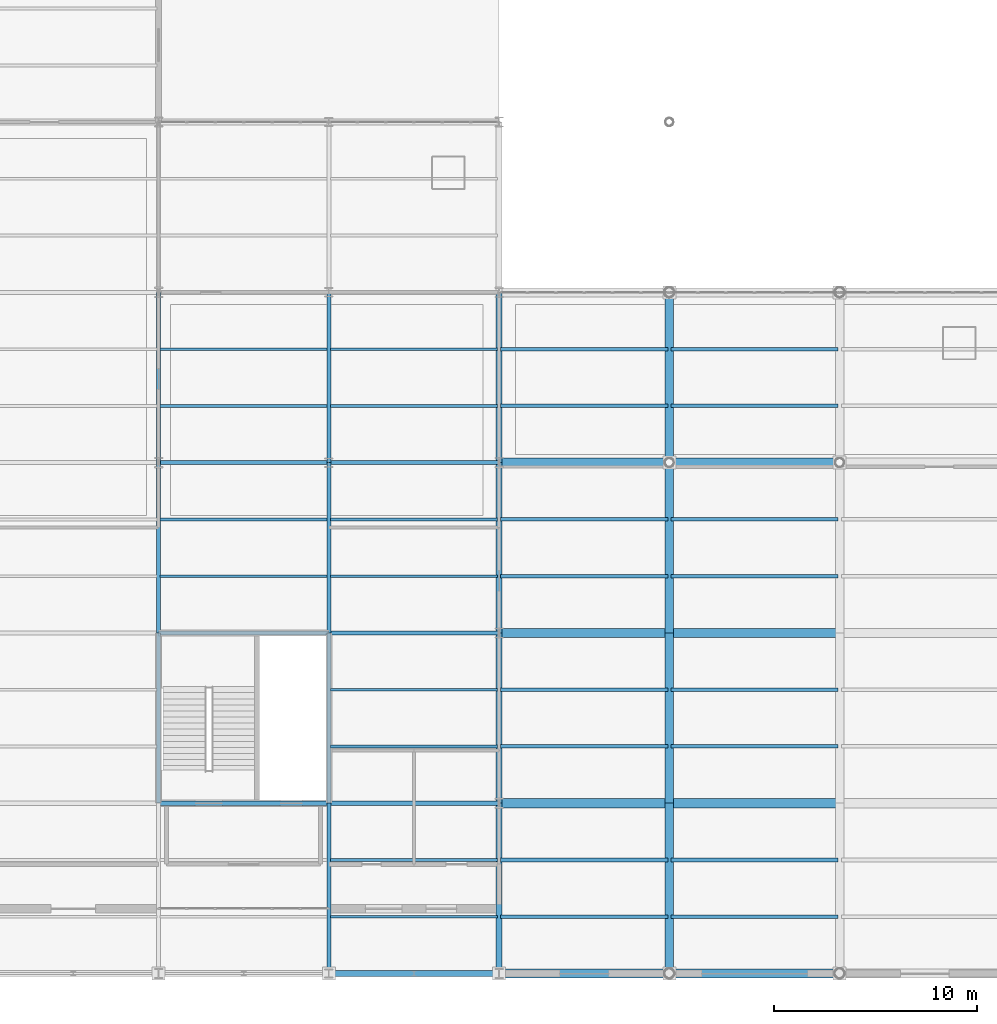
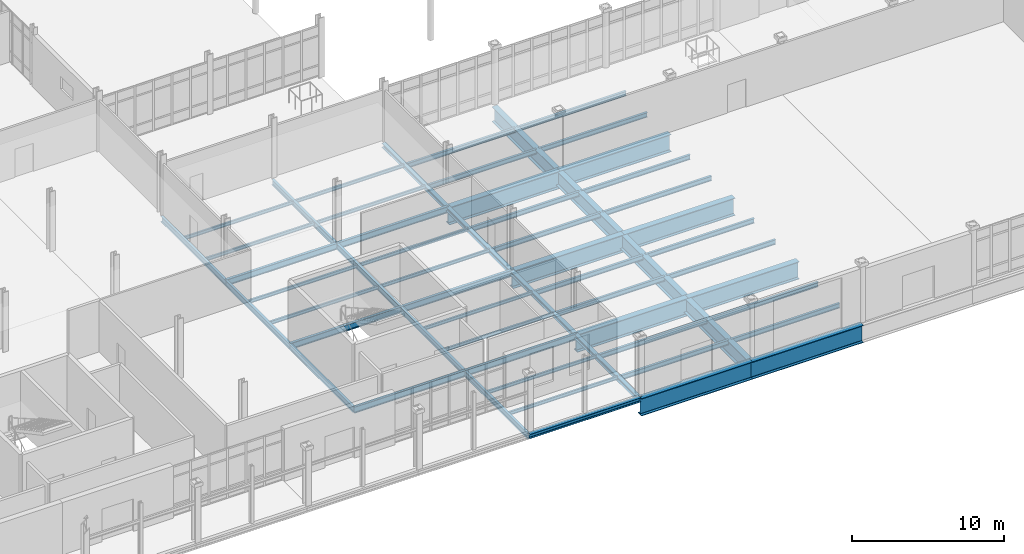
# One storey, part 30 of 145: 58 beams.
"""IFC4 building model written with IfcOpenShell, lengths in metres."""

from ifc_helpers import new_model, si_unit, direction, frame, origin, origin_2d, place, context, subcontext, project, spatial, i_section, extrude, material, material_profile, profile_set, type_object, element, save


model = new_model("IFC4")

# Units and contexts
model_context = context("Model", 3, precision=1e-05, world=origin(), true_north=direction((0.0, 1.0)))
body_context = subcontext(model_context, "Body", "Model", "MODEL_VIEW")
ifc_project = project(units=[si_unit("LENGTHUNIT", "METRE"), si_unit("AREAUNIT", "SQUARE_METRE"), si_unit("VOLUMEUNIT", "CUBIC_METRE"), si_unit("PLANEANGLEUNIT", "RADIAN"), si_unit("MASSUNIT", "GRAM", prefix="KILO")], contexts=[model_context])

# Site, building, storey
site_placement = place(None, origin())
site = spatial("IfcSite", under=ifc_project, at=site_placement, CompositionType="ELEMENT")
building_placement = place(site_placement, origin())
building = spatial("IfcBuilding", under=site, at=building_placement, Name="Qalvenar Corner Mobility Hub", CompositionType="ELEMENT")
storey_placement = place(building_placement, origin())
storey = spatial("IfcBuildingStorey", under=building, at=storey_placement, Name="L00", CompositionType="ELEMENT", Elevation=0.0)

# Beams
ifc_material = material(Name="Steel S355", Category="steel")
ifc_material_profile_1 = material_profile(ifc_material, i_section(OverallWidth=0.18994140625, OverallDepth=0.449951171875, WebThickness=0.009521484375, FlangeThickness=0.0146484375, FilletRadius=0.02099609375, at=origin_2d()), Name="IPE450")
ifc_profile_set_1 = profile_set([ifc_material_profile_1], Name="Steel S355")
beam_type_1 = type_object("IfcBeamType", Name="BM-IPE450", PredefinedType="BEAM", material=ifc_profile_set_1)
beam_1_placement = place(storey_placement, frame((33.60009765625, 8.39990234375, -0.445068359375), z_axis=(0.0, 1.0, 0.0), x_axis=(-1.0, 0.0, 0.0)))
element("IfcBeam", 1, at=beam_1_placement, inside=storey, type_object=beam_type_1, Name="Primary Steel Girder GY-0058", PredefinedType="BEAM", context=body_context, shape_type="SweptSolid", body=[
    extrude(i_section(OverallWidth=0.18994140625, OverallDepth=0.449951171875, WebThickness=0.009521484375, FlangeThickness=0.0146484375, FilletRadius=0.02099609375, at=origin_2d()), origin(), (0.0, 0.0, 1.0), 8.400146484375),
])
beam_2_placement = place(storey_placement, frame((33.60009765625, 16.800048828125, -0.445068359375), z_axis=(0.0, 1.0, 0.0), x_axis=(-1.0, 0.0, 0.0)))
element("IfcBeam", 2, at=beam_2_placement, inside=storey, type_object=beam_type_1, Name="Primary Steel Girder GY-0059", PredefinedType="BEAM", context=body_context, shape_type="SweptSolid", body=[
    extrude(i_section(OverallWidth=0.18994140625, OverallDepth=0.449951171875, WebThickness=0.009521484375, FlangeThickness=0.0146484375, FilletRadius=0.02099609375, at=origin_2d()), origin(), (0.0, 0.0, 1.0), 8.39990234375),
])
beam_3_placement = place(storey_placement, frame((33.60009765625, 25.199951171875, -0.445068359375), z_axis=(0.0, 1.0, 0.0), x_axis=(-1.0, 0.0, 0.0)))
element("IfcBeam", 3, at=beam_3_placement, inside=storey, type_object=beam_type_1, Name="Primary Steel Girder GY-0060", PredefinedType="BEAM", context=body_context, shape_type="SweptSolid", body=[
    extrude(i_section(OverallWidth=0.18994140625, OverallDepth=0.449951171875, WebThickness=0.009521484375, FlangeThickness=0.0146484375, FilletRadius=0.02099609375, at=origin_2d()), origin(), (0.0, 0.0, 1.0), 8.400146484375),
])
beam_4_placement = place(storey_placement, frame((42.0, 0.0, -0.445068359375), z_axis=(0.0, 1.0, 0.0), x_axis=(-1.0, 0.0, 0.0)))
element("IfcBeam", 4, at=beam_4_placement, inside=storey, type_object=beam_type_1, Name="Primary Steel Girder GY-0062", PredefinedType="BEAM", context=body_context, shape_type="SweptSolid", body=[
    extrude(i_section(OverallWidth=0.18994140625, OverallDepth=0.449951171875, WebThickness=0.009521484375, FlangeThickness=0.0146484375, FilletRadius=0.02099609375, at=origin_2d()), origin(), (0.0, 0.0, 1.0), 8.39990234375),
])
beam_5_placement = place(storey_placement, frame((42.0, 8.39990234375, -0.445068359375), z_axis=(0.0, 1.0, 0.0), x_axis=(-1.0, 0.0, 0.0)))
element("IfcBeam", 5, at=beam_5_placement, inside=storey, type_object=beam_type_1, Name="Primary Steel Girder GY-0063", PredefinedType="BEAM", context=body_context, shape_type="SweptSolid", body=[
    extrude(i_section(OverallWidth=0.18994140625, OverallDepth=0.449951171875, WebThickness=0.009521484375, FlangeThickness=0.0146484375, FilletRadius=0.02099609375, at=origin_2d()), origin(), (0.0, 0.0, 1.0), 8.400146484375),
])
beam_6_placement = place(storey_placement, frame((42.0, 16.800048828125, -0.445068359375), z_axis=(0.0, 1.0, 0.0), x_axis=(-1.0, 0.0, 0.0)))
element("IfcBeam", 6, at=beam_6_placement, inside=storey, type_object=beam_type_1, Name="Primary Steel Girder GY-0064", PredefinedType="BEAM", context=body_context, shape_type="SweptSolid", body=[
    extrude(i_section(OverallWidth=0.18994140625, OverallDepth=0.449951171875, WebThickness=0.009521484375, FlangeThickness=0.0146484375, FilletRadius=0.02099609375, at=origin_2d()), origin(), (0.0, 0.0, 1.0), 8.39990234375),
])
beam_7_placement = place(storey_placement, frame((42.0, 25.199951171875, -0.445068359375), z_axis=(0.0, 1.0, 0.0), x_axis=(-1.0, 0.0, 0.0)))
element("IfcBeam", 7, at=beam_7_placement, inside=storey, type_object=beam_type_1, Name="Primary Steel Girder GY-0065", PredefinedType="BEAM", context=body_context, shape_type="SweptSolid", body=[
    extrude(i_section(OverallWidth=0.18994140625, OverallDepth=0.449951171875, WebThickness=0.009521484375, FlangeThickness=0.0146484375, FilletRadius=0.02099609375, at=origin_2d()), origin(), (0.0, 0.0, 1.0), 8.400146484375),
])
ifc_material_profile_2 = material_profile(ifc_material, i_section(OverallWidth=0.199951171875, OverallDepth=0.5, WebThickness=0.01025390625, FlangeThickness=0.01611328125, FilletRadius=0.02099609375, at=origin_2d()), Name="IPE500")
ifc_profile_set_2 = profile_set([ifc_material_profile_2], Name="Steel S355")
beam_type_2 = type_object("IfcBeamType", Name="BM-IPE500", PredefinedType="BEAM", material=ifc_profile_set_2)
for number, where, z_axis, x_axis, name in (
    (8, (33.60009765625, 8.39990234375, -0.469970703125), (1.0, 0.0, 0.0), (0.0, 1.0, 0.0), "Primary Steel Girder GX-0011"),
    (9, (42.0, 8.39990234375, -0.469970703125), (1.0, 0.0, 0.0), (0.0, 1.0, 0.0), "Primary Steel Girder GX-0012"),
    (10, (33.60009765625, 16.800048828125, -0.469970703125), (1.0, 0.0, 0.0), (0.0, 1.0, 0.0), "Primary Steel Girder GX-0017"),
    (11, (42.0, 16.800048828125, -0.469970703125), (1.0, 0.0, 0.0), (0.0, 1.0, 0.0), "Primary Steel Girder GX-0018"),
    (12, (33.60009765625, 25.199951171875, -0.469970703125), (1.0, 0.0, 0.0), (0.0, 1.0, 0.0), "Primary Steel Girder GX-0023"),
    (13, (42.0, 25.199951171875, -0.469970703125), (1.0, 0.0, 0.0), (0.0, 1.0, 0.0), "Primary Steel Girder GX-0024"),
):
    element("IfcBeam", number, at=place(storey_placement, frame(where, z_axis=z_axis, x_axis=x_axis)), inside=storey, type_object=beam_type_2, Name=name, PredefinedType="BEAM", context=body_context, shape_type="SweptSolid", body=[
        extrude(i_section(OverallWidth=0.199951171875, OverallDepth=0.5, WebThickness=0.01025390625, FlangeThickness=0.01611328125, FilletRadius=0.02099609375, at=origin_2d()), origin(), (0.0, 0.0, 1.0), 8.39990234375),
    ])
ifc_material_profile_3 = material_profile(ifc_material, i_section(OverallWidth=0.135009765625, OverallDepth=0.27001953125, WebThickness=0.006591796875, FlangeThickness=0.01025390625, FilletRadius=0.014892578125, at=origin_2d()), Name="IPE270")
ifc_profile_set_3 = profile_set([ifc_material_profile_3], Name="Steel S355")
beam_type_3 = type_object("IfcBeamType", Name="BM-JST270", PredefinedType="JOIST", material=ifc_profile_set_3)
for number, where, z_axis, x_axis, name in (
    (14, (33.677978515625, 19.60009765625, -0.35498046875), (1.0, 0.0, 0.0), (0.0, 1.0, 0.0), "Composite Floor Joist J-0113"),
    (15, (33.677978515625, 22.39990234375, -0.35498046875), (1.0, 0.0, 0.0), (0.0, 1.0, 0.0), "Composite Floor Joist J-0114"),
    (16, (33.677978515625, 28.0, -0.35498046875), (1.0, 0.0, 0.0), (0.0, 1.0, 0.0), "Composite Floor Joist J-0115"),
    (17, (33.677978515625, 30.800048828125, -0.35498046875), (1.0, 0.0, 0.0), (0.0, 1.0, 0.0), "Composite Floor Joist J-0116"),
    (18, (42.077880859375, 2.800048828125, -0.35498046875), (1.0, 0.0, 0.0), (0.0, 1.0, 0.0), "Composite Floor Joist J-0119"),
    (19, (42.077880859375, 5.60009765625, -0.35498046875), (1.0, 0.0, 0.0), (0.0, 1.0, 0.0), "Composite Floor Joist J-0120"),
    (20, (42.077880859375, 11.199951171875, -0.35498046875), (1.0, 0.0, 0.0), (0.0, 1.0, 0.0), "Composite Floor Joist J-0121"),
    (21, (42.077880859375, 14.0, -0.35498046875), (1.0, 0.0, 0.0), (0.0, 1.0, 0.0), "Composite Floor Joist J-0122"),
    (22, (42.077880859375, 19.60009765625, -0.35498046875), (1.0, 0.0, 0.0), (0.0, 1.0, 0.0), "Composite Floor Joist J-0123"),
    (23, (42.077880859375, 22.39990234375, -0.35498046875), (1.0, 0.0, 0.0), (0.0, 1.0, 0.0), "Composite Floor Joist J-0124"),
    (24, (42.077880859375, 28.0, -0.35498046875), (1.0, 0.0, 0.0), (0.0, 1.0, 0.0), "Composite Floor Joist J-0125"),
    (25, (42.077880859375, 30.800048828125, -0.35498046875), (1.0, 0.0, 0.0), (0.0, 1.0, 0.0), "Composite Floor Joist J-0126"),
):
    element("IfcBeam", number, at=place(storey_placement, frame(where, z_axis=z_axis, x_axis=x_axis)), inside=storey, type_object=beam_type_3, Name=name, PredefinedType="JOIST", context=body_context, shape_type="SweptSolid", body=[
        extrude(i_section(OverallWidth=0.135009765625, OverallDepth=0.27001953125, WebThickness=0.006591796875, FlangeThickness=0.01025390625, FilletRadius=0.014892578125, at=origin_2d()), origin(), (0.0, 0.0, 1.0), 8.244140625),
    ])
ifc_material_profile_4 = material_profile(ifc_material, i_section(OverallWidth=0.175048828125, OverallDepth=0.3798828125, WebThickness=0.00830078125, FlangeThickness=0.012939453125, FilletRadius=0.01806640625, at=origin_2d()), Name="IPE380-EQ")
ifc_profile_set_4 = profile_set([ifc_material_profile_4], Name="Steel S355")
beam_type_4 = type_object("IfcBeamType", Name="BM-JST380", PredefinedType="JOIST", material=ifc_profile_set_4)
for number, where, z_axis, x_axis, name in (
    (26, (50.47802734375, 2.800048828125, -0.43994140625), (1.0, 0.0, 0.0), (0.0, 1.0, 0.0), "Composite Floor Joist J-0192"),
    (27, (50.47802734375, 5.60009765625, -0.43994140625), (1.0, 0.0, 0.0), (0.0, 1.0, 0.0), "Composite Floor Joist J-0193"),
    (28, (50.47802734375, 11.199951171875, -0.43994140625), (1.0, 0.0, 0.0), (0.0, 1.0, 0.0), "Composite Floor Joist J-0194"),
    (29, (50.47802734375, 14.0, -0.43994140625), (1.0, 0.0, 0.0), (0.0, 1.0, 0.0), "Composite Floor Joist J-0195"),
    (30, (50.47802734375, 19.60009765625, -0.43994140625), (1.0, 0.0, 0.0), (0.0, 1.0, 0.0), "Composite Floor Joist J-0196"),
    (31, (50.47802734375, 22.39990234375, -0.43994140625), (1.0, 0.0, 0.0), (0.0, 1.0, 0.0), "Composite Floor Joist J-0197"),
    (32, (50.47802734375, 28.0, -0.43994140625), (1.0, 0.0, 0.0), (0.0, 1.0, 0.0), "Composite Floor Joist J-0198"),
    (33, (50.47802734375, 30.800048828125, -0.43994140625), (1.0, 0.0, 0.0), (0.0, 1.0, 0.0), "Composite Floor Joist J-0199"),
):
    element("IfcBeam", number, at=place(storey_placement, frame(where, z_axis=z_axis, x_axis=x_axis)), inside=storey, type_object=beam_type_4, Name=name, PredefinedType="JOIST", context=body_context, shape_type="SweptSolid", body=[
        extrude(i_section(OverallWidth=0.175048828125, OverallDepth=0.3798828125, WebThickness=0.00830078125, FlangeThickness=0.012939453125, FilletRadius=0.01806640625, at=origin_2d()), origin(), (0.0, 0.0, 1.0), 8.243896484375),
    ])
for number, where, z_axis, x_axis, name in (
    (34, (58.8779296875, 2.800048828125, -0.43994140625), (1.0, 0.0, 0.0), (0.0, 1.0, 0.0), "Composite Floor Joist J-0200"),
    (35, (58.8779296875, 5.60009765625, -0.43994140625), (1.0, 0.0, 0.0), (0.0, 1.0, 0.0), "Composite Floor Joist J-0201"),
    (36, (58.8779296875, 11.199951171875, -0.43994140625), (1.0, 0.0, 0.0), (0.0, 1.0, 0.0), "Composite Floor Joist J-0202"),
    (37, (58.8779296875, 14.0, -0.43994140625), (1.0, 0.0, 0.0), (0.0, 1.0, 0.0), "Composite Floor Joist J-0203"),
    (38, (58.8779296875, 19.60009765625, -0.43994140625), (1.0, 0.0, 0.0), (0.0, 1.0, 0.0), "Composite Floor Joist J-0204"),
    (39, (58.8779296875, 22.39990234375, -0.43994140625), (1.0, 0.0, 0.0), (0.0, 1.0, 0.0), "Composite Floor Joist J-0205"),
    (40, (58.8779296875, 28.0, -0.43994140625), (1.0, 0.0, 0.0), (0.0, 1.0, 0.0), "Composite Floor Joist J-0206"),
    (41, (58.8779296875, 30.800048828125, -0.43994140625), (1.0, 0.0, 0.0), (0.0, 1.0, 0.0), "Composite Floor Joist J-0207"),
):
    element("IfcBeam", number, at=place(storey_placement, frame(where, z_axis=z_axis, x_axis=x_axis)), inside=storey, type_object=beam_type_4, Name=name, PredefinedType="JOIST", context=body_context, shape_type="SweptSolid", body=[
        extrude(i_section(OverallWidth=0.175048828125, OverallDepth=0.3798828125, WebThickness=0.00830078125, FlangeThickness=0.012939453125, FilletRadius=0.01806640625, at=origin_2d()), origin(), (0.0, 0.0, 1.0), 8.244140625),
    ])
ifc_material_profile_5 = material_profile(ifc_material, i_section(OverallWidth=0.300048828125, OverallDepth=0.330078125, WebThickness=0.009521484375, FlangeThickness=0.0166015625, FilletRadius=0.027099609375, at=origin_2d()), Name="HEA340")
ifc_profile_set_5 = profile_set([ifc_material_profile_5], Name="Steel S355")
beam_type_5 = type_object("IfcBeamType", Name="BM-SPN340", PredefinedType="SPANDREL", material=ifc_profile_set_5)
beam_8_placement = place(storey_placement, frame((50.39990234375, 0.0, -0.4150390625), z_axis=(0.0, 1.0, 0.0), x_axis=(-1.0, 0.0, 0.0)))
element("IfcBeam", 42, at=beam_8_placement, inside=storey, type_object=beam_type_5, Name="Primary Steel Girder GY-0067", PredefinedType="SPANDREL", context=body_context, shape_type="SweptSolid", body=[
    extrude(i_section(OverallWidth=0.300048828125, OverallDepth=0.330078125, WebThickness=0.009521484375, FlangeThickness=0.0166015625, FilletRadius=0.027099609375, at=origin_2d()), origin(), (0.0, 0.0, 1.0), 8.39990234375),
])
beam_9_placement = place(storey_placement, frame((50.39990234375, 8.39990234375, -0.4150390625), z_axis=(0.0, 1.0, 0.0), x_axis=(-1.0, 0.0, 0.0)))
element("IfcBeam", 43, at=beam_9_placement, inside=storey, type_object=beam_type_5, Name="Primary Steel Girder GY-0068", PredefinedType="SPANDREL", context=body_context, shape_type="SweptSolid", body=[
    extrude(i_section(OverallWidth=0.300048828125, OverallDepth=0.330078125, WebThickness=0.009521484375, FlangeThickness=0.0166015625, FilletRadius=0.027099609375, at=origin_2d()), origin(), (0.0, 0.0, 1.0), 8.400146484375),
])
beam_10_placement = place(storey_placement, frame((50.39990234375, 16.800048828125, -0.4150390625), z_axis=(0.0, 1.0, 0.0), x_axis=(-1.0, 0.0, 0.0)))
element("IfcBeam", 44, at=beam_10_placement, inside=storey, type_object=beam_type_5, Name="Primary Steel Girder GY-0069", PredefinedType="SPANDREL", context=body_context, shape_type="SweptSolid", body=[
    extrude(i_section(OverallWidth=0.300048828125, OverallDepth=0.330078125, WebThickness=0.009521484375, FlangeThickness=0.0166015625, FilletRadius=0.027099609375, at=origin_2d()), origin(), (0.0, 0.0, 1.0), 8.39990234375),
])
beam_11_placement = place(storey_placement, frame((50.39990234375, 25.199951171875, -0.4150390625), z_axis=(0.0, 1.0, 0.0), x_axis=(-1.0, 0.0, 0.0)))
element("IfcBeam", 45, at=beam_11_placement, inside=storey, type_object=beam_type_5, Name="Primary Steel Girder GY-0070", PredefinedType="SPANDREL", context=body_context, shape_type="SweptSolid", body=[
    extrude(i_section(OverallWidth=0.300048828125, OverallDepth=0.330078125, WebThickness=0.009521484375, FlangeThickness=0.0166015625, FilletRadius=0.027099609375, at=origin_2d()), origin(), (0.0, 0.0, 1.0), 8.400146484375),
])
ifc_material_profile_6 = material_profile(ifc_material, i_section(OverallWidth=0.300048828125, OverallDepth=0.35009765625, WebThickness=0.010009765625, FlangeThickness=0.017578125, FilletRadius=0.027099609375, at=origin_2d()), Name="HEA360")
ifc_profile_set_6 = profile_set([ifc_material_profile_6], Name="Steel S355")
beam_type_6 = type_object("IfcBeamType", Name="BM-SPN360", PredefinedType="SPANDREL", material=ifc_profile_set_6)
beam_12_placement = place(storey_placement, frame((42.0, 0.0, -0.39501953125), z_axis=(1.0, 0.0, 0.0), x_axis=(0.0, 1.0, 0.0)))
element("IfcBeam", 46, at=beam_12_placement, inside=storey, type_object=beam_type_6, Name="Primary Steel Girder GX-0006", PredefinedType="SPANDREL", context=body_context, shape_type="SweptSolid", body=[
    extrude(i_section(OverallWidth=0.300048828125, OverallDepth=0.35009765625, WebThickness=0.010009765625, FlangeThickness=0.017578125, FilletRadius=0.027099609375, at=origin_2d()), origin(), (0.0, 0.0, 1.0), 8.39990234375),
])
ifc_material_profile_7 = material_profile(ifc_material, i_section(OverallWidth=0.419921875, OverallDepth=1.199951171875, WebThickness=0.02197265625, FlangeThickness=0.0380859375, FilletRadius=0.02392578125, at=origin_2d()), Name="W1100x390-TG1200")
ifc_profile_set_7 = profile_set([ifc_material_profile_7], Name="Steel S355")
beam_type_7 = type_object("IfcBeamType", Name="BM-TG1200", PredefinedType="T_BEAM", material=ifc_profile_set_7)
beam_13_placement = place(storey_placement, frame((58.800048828125, 0.0, -0.85009765625), z_axis=(0.0, 1.0, 0.0), x_axis=(-1.0, 0.0, 0.0)))
element("IfcBeam", 47, at=beam_13_placement, inside=storey, type_object=beam_type_7, Name="Transfer Girder TG-0164", PredefinedType="T_BEAM", context=body_context, shape_type="SweptSolid", body=[
    extrude(i_section(OverallWidth=0.419921875, OverallDepth=1.199951171875, WebThickness=0.02197265625, FlangeThickness=0.0380859375, FilletRadius=0.02392578125, at=origin_2d()), origin(), (0.0, 0.0, 1.0), 8.39990234375),
])
beam_14_placement = place(storey_placement, frame((58.800048828125, 8.39990234375, -0.85009765625), z_axis=(0.0, 1.0, 0.0), x_axis=(-1.0, 0.0, 0.0)))
element("IfcBeam", 48, at=beam_14_placement, inside=storey, type_object=beam_type_7, Name="Transfer Girder TG-0165", PredefinedType="T_BEAM", context=body_context, shape_type="SweptSolid", body=[
    extrude(i_section(OverallWidth=0.419921875, OverallDepth=1.199951171875, WebThickness=0.02197265625, FlangeThickness=0.0380859375, FilletRadius=0.02392578125, at=origin_2d()), origin(), (0.0, 0.0, 1.0), 8.400146484375),
])
beam_15_placement = place(storey_placement, frame((58.800048828125, 16.800048828125, -0.85009765625), z_axis=(0.0, 1.0, 0.0), x_axis=(-1.0, 0.0, 0.0)))
element("IfcBeam", 49, at=beam_15_placement, inside=storey, type_object=beam_type_7, Name="Transfer Girder TG-0166", PredefinedType="T_BEAM", context=body_context, shape_type="SweptSolid", body=[
    extrude(i_section(OverallWidth=0.419921875, OverallDepth=1.199951171875, WebThickness=0.02197265625, FlangeThickness=0.0380859375, FilletRadius=0.02392578125, at=origin_2d()), origin(), (0.0, 0.0, 1.0), 8.39990234375),
])
beam_16_placement = place(storey_placement, frame((58.800048828125, 25.199951171875, -0.85009765625), z_axis=(0.0, 1.0, 0.0), x_axis=(-1.0, 0.0, 0.0)))
element("IfcBeam", 50, at=beam_16_placement, inside=storey, type_object=beam_type_7, Name="Transfer Girder TG-0167", PredefinedType="T_BEAM", context=body_context, shape_type="SweptSolid", body=[
    extrude(i_section(OverallWidth=0.419921875, OverallDepth=1.199951171875, WebThickness=0.02197265625, FlangeThickness=0.0380859375, FilletRadius=0.02392578125, at=origin_2d()), origin(), (0.0, 0.0, 1.0), 8.400146484375),
])
ifc_material_profile_8 = material_profile(ifc_material, i_section(OverallWidth=0.449951171875, OverallDepth=1.39990234375, WebThickness=0.02587890625, FlangeThickness=0.0439453125, FilletRadius=0.02392578125, at=origin_2d()), Name="W1100x499-TG1400")
ifc_profile_set_8 = profile_set([ifc_material_profile_8], Name="Steel S355")
beam_type_8 = type_object("IfcBeamType", Name="BM-TG1400", PredefinedType="T_BEAM", material=ifc_profile_set_8)
beam_17_placement = place(storey_placement, frame((50.39990234375, 0.0, -0.949951171875), z_axis=(1.0, 0.0, 0.0), x_axis=(0.0, 1.0, 0.0)))
element("IfcBeam", 51, at=beam_17_placement, inside=storey, type_object=beam_type_8, Name="Transfer Girder TG-0129", PredefinedType="T_BEAM", context=body_context, shape_type="SweptSolid", body=[
    extrude(i_section(OverallWidth=0.449951171875, OverallDepth=1.39990234375, WebThickness=0.02587890625, FlangeThickness=0.0439453125, FilletRadius=0.02392578125, at=origin_2d()), origin(), (0.0, 0.0, 1.0), 8.400146484375),
])
beam_18_placement = place(storey_placement, frame((58.800048828125, 0.0, -0.949951171875), z_axis=(1.0, 0.0, 0.0), x_axis=(0.0, 1.0, 0.0)))
element("IfcBeam", 52, at=beam_18_placement, inside=storey, type_object=beam_type_8, Name="Transfer Girder TG-0130", PredefinedType="T_BEAM", context=body_context, shape_type="SweptSolid", body=[
    extrude(i_section(OverallWidth=0.449951171875, OverallDepth=1.39990234375, WebThickness=0.02587890625, FlangeThickness=0.0439453125, FilletRadius=0.02392578125, at=origin_2d()), origin(), (0.0, 0.0, 1.0), 8.39990234375),
])
beam_19_placement = place(storey_placement, frame((50.39990234375, 8.39990234375, -0.949951171875), z_axis=(1.0, 0.0, 0.0), x_axis=(0.0, 1.0, 0.0)))
element("IfcBeam", 53, at=beam_19_placement, inside=storey, type_object=beam_type_8, Name="Transfer Girder TG-0136", PredefinedType="T_BEAM", context=body_context, shape_type="SweptSolid", body=[
    extrude(i_section(OverallWidth=0.449951171875, OverallDepth=1.39990234375, WebThickness=0.02587890625, FlangeThickness=0.0439453125, FilletRadius=0.02392578125, at=origin_2d()), origin(), (0.0, 0.0, 1.0), 8.400146484375),
])
beam_20_placement = place(storey_placement, frame((58.800048828125, 8.39990234375, -0.949951171875), z_axis=(1.0, 0.0, 0.0), x_axis=(0.0, 1.0, 0.0)))
element("IfcBeam", 54, at=beam_20_placement, inside=storey, type_object=beam_type_8, Name="Transfer Girder TG-0137", PredefinedType="T_BEAM", context=body_context, shape_type="SweptSolid", body=[
    extrude(i_section(OverallWidth=0.449951171875, OverallDepth=1.39990234375, WebThickness=0.02587890625, FlangeThickness=0.0439453125, FilletRadius=0.02392578125, at=origin_2d()), origin(), (0.0, 0.0, 1.0), 8.39990234375),
])
beam_21_placement = place(storey_placement, frame((50.39990234375, 16.800048828125, -0.949951171875), z_axis=(1.0, 0.0, 0.0), x_axis=(0.0, 1.0, 0.0)))
element("IfcBeam", 55, at=beam_21_placement, inside=storey, type_object=beam_type_8, Name="Transfer Girder TG-0143", PredefinedType="T_BEAM", context=body_context, shape_type="SweptSolid", body=[
    extrude(i_section(OverallWidth=0.449951171875, OverallDepth=1.39990234375, WebThickness=0.02587890625, FlangeThickness=0.0439453125, FilletRadius=0.02392578125, at=origin_2d()), origin(), (0.0, 0.0, 1.0), 8.400146484375),
])
beam_22_placement = place(storey_placement, frame((58.800048828125, 16.800048828125, -0.949951171875), z_axis=(1.0, 0.0, 0.0), x_axis=(0.0, 1.0, 0.0)))
element("IfcBeam", 56, at=beam_22_placement, inside=storey, type_object=beam_type_8, Name="Transfer Girder TG-0144", PredefinedType="T_BEAM", context=body_context, shape_type="SweptSolid", body=[
    extrude(i_section(OverallWidth=0.449951171875, OverallDepth=1.39990234375, WebThickness=0.02587890625, FlangeThickness=0.0439453125, FilletRadius=0.02392578125, at=origin_2d()), origin(), (0.0, 0.0, 1.0), 8.39990234375),
])
beam_23_placement = place(storey_placement, frame((50.39990234375, 25.199951171875, -0.949951171875), z_axis=(1.0, 0.0, 0.0), x_axis=(0.0, 1.0, 0.0)))
element("IfcBeam", 57, at=beam_23_placement, inside=storey, type_object=beam_type_8, Name="Transfer Girder TG-0150", PredefinedType="T_BEAM", context=body_context, shape_type="SweptSolid", body=[
    extrude(i_section(OverallWidth=0.449951171875, OverallDepth=1.39990234375, WebThickness=0.02587890625, FlangeThickness=0.0439453125, FilletRadius=0.02392578125, at=origin_2d()), origin(), (0.0, 0.0, 1.0), 8.400146484375),
])
beam_24_placement = place(storey_placement, frame((58.800048828125, 25.199951171875, -0.949951171875), z_axis=(1.0, 0.0, 0.0), x_axis=(0.0, 1.0, 0.0)))
element("IfcBeam", 58, at=beam_24_placement, inside=storey, type_object=beam_type_8, Name="Transfer Girder TG-0151", PredefinedType="T_BEAM", context=body_context, shape_type="SweptSolid", body=[
    extrude(i_section(OverallWidth=0.449951171875, OverallDepth=1.39990234375, WebThickness=0.02587890625, FlangeThickness=0.0439453125, FilletRadius=0.02392578125, at=origin_2d()), origin(), (0.0, 0.0, 1.0), 8.39990234375),
])

save(model, "model.ifc")
